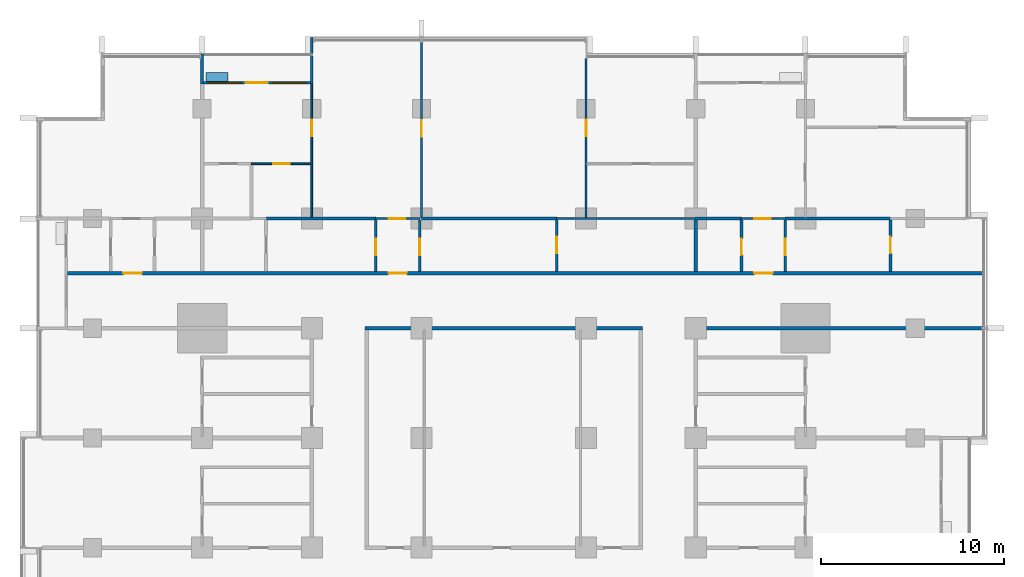
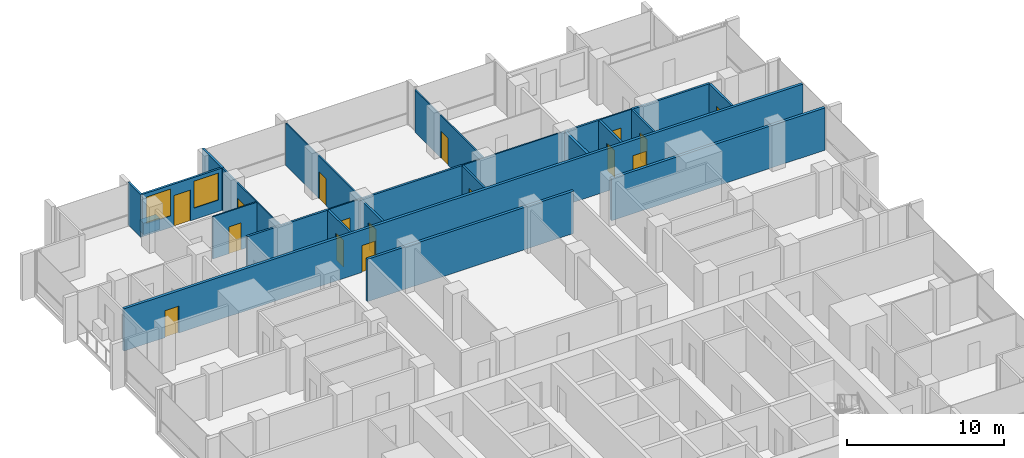
# One storey, part 11 of 17: 25 walls, 16 doors, 2 windows, 18 openings.
"""IFC4 building model written with IfcOpenShell, lengths in metres."""

import ifcopenshell
import ifcopenshell.guid

model = None  # the IFC model being written
_history = None  # IfcOwnerHistory: only IFC2X3 demands one
_inside = {}  # id of a spatial element -> (the spatial element, [elements in it])
_under = {}  # id of a project, library or spatial element -> (it, [spatial elements below it])
_declared = {}  # id of a project -> (the project, [libraries it declares])
_typed = {}  # id of a type object -> (the type object, [elements of that type])
_made_of = {}  # id of a material, layer set ... -> (it, [elements and type objects made of it])


def new_model(schema):
    """Start an empty IFC model of exactly this schema.

    Asked for "IFC4X3", IfcOpenShell would pick the latest addendum, in which some entities
    have other attributes; the version numbers below select the first issue.
    IFC2X3 requires an IfcOwnerHistory on every rooted entity: one is made here for all.
    """
    global model, _history
    if schema == "IFC4X3":
        model = ifcopenshell.file(schema_version=(4, 3, 0, 0))
    else:
        model = ifcopenshell.file(schema=schema)
    _inside.clear()
    _under.clear()
    _declared.clear()
    _typed.clear()
    _made_of.clear()
    _history = None
    if model.schema == "IFC2X3":
        org = make("IfcOrganization", Name="unknown")
        user = make(
            "IfcPersonAndOrganization",
            ThePerson=make("IfcPerson", FamilyName="unknown"),
            TheOrganization=org,
        )
        app = make(
            "IfcApplication",
            ApplicationDeveloper=org,
            Version="unknown",
            ApplicationFullName="unknown",
            ApplicationIdentifier="unknown",
        )
        _history = make(
            "IfcOwnerHistory",
            OwningUser=user,
            OwningApplication=app,
            ChangeAction="ADDED",
            CreationDate=0,
        )
    return model


def make(cls, **values):
    """One entity of the class cls with the attributes given. An attribute that is None is left unset."""
    return model.create_entity(
        cls, **{name: value for name, value in values.items() if value is not None}
    )


def rooted(cls, **values):
    """An entity with a GlobalId (a new one), such as an element, a storey or a relation."""
    return make(cls, GlobalId=ifcopenshell.guid.new(), OwnerHistory=_history, **values)


def si_unit(unit_type, name, prefix=None):
    """IfcSIUnit, for example si_unit("LENGTHUNIT", "METRE", prefix="MILLI")."""
    return make("IfcSIUnit", UnitType=unit_type, Prefix=prefix, Name=name)


def assignment(units):
    """IfcUnitAssignment: the units of a project."""
    return None if units is None else make("IfcUnitAssignment", Units=units)


def point(xyz):
    """IfcCartesianPoint."""
    return None if xyz is None else make("IfcCartesianPoint", Coordinates=xyz)


def direction(xyz):
    """IfcDirection."""
    return None if xyz is None else make("IfcDirection", DirectionRatios=xyz)


def frame(location, z_axis=None, x_axis=None):
    """IfcAxis2Placement3D, a coordinate frame: its origin and axes. An axis left out is left unset."""
    return make(
        "IfcAxis2Placement3D",
        Location=point(location),
        Axis=direction(z_axis),
        RefDirection=direction(x_axis),
    )


def frame_2d(location, x_axis=None):
    """IfcAxis2Placement2D, a coordinate frame in the plane: its origin and x axis."""
    return make(
        "IfcAxis2Placement2D", Location=point(location), RefDirection=direction(x_axis)
    )


def origin():
    """The frame at (0, 0, 0) with its axes left unset."""
    return frame((0.0, 0.0, 0.0))


def place(relative_to, where):
    """IfcLocalPlacement: puts the frame where relative to a parent placement (None: the world)."""
    return make(
        "IfcLocalPlacement", PlacementRelTo=relative_to, RelativePlacement=where
    )


def context(
    kind, dimensions, precision=None, world=None, true_north=None, identifier=None
):
    """IfcGeometricRepresentationContext, for example the 3D "Model" context."""
    return make(
        "IfcGeometricRepresentationContext",
        ContextIdentifier=identifier,
        ContextType=kind,
        CoordinateSpaceDimension=dimensions,
        Precision=precision,
        WorldCoordinateSystem=world,
        TrueNorth=true_north,
    )


def subcontext(parent, identifier, kind, view, scale=None):
    """IfcGeometricRepresentationSubContext, for example "Body" below "Model"."""
    return make(
        "IfcGeometricRepresentationSubContext",
        ContextIdentifier=identifier,
        ContextType=kind,
        ParentContext=parent,
        TargetScale=scale,
        TargetView=view,
    )


def project(units=None, contexts=None):
    """IfcProject with its units and contexts."""
    return rooted(
        "IfcProject",
        Name="project",
        RepresentationContexts=contexts,
        UnitsInContext=assignment(units),
    )


def spatial(cls, under=None, at=None, **own):
    """A site, building, storey or space (cls), placed at a placement, below another one or the project."""
    s = rooted(cls, ObjectPlacement=at, **own)
    if under is not None:
        _under.setdefault(under.id(), (under, []))[1].append(s)
    return s


def profile(cls, at=None, kind="AREA", **sizes):
    """A parametric profile (cls). Its sizes go by their IFC names, for example OverallWidth=200.0."""
    return make(cls, ProfileType=kind, Position=at, **sizes)


def rectangle(**sizes):
    """IfcRectangleProfileDef."""
    return profile("IfcRectangleProfileDef", **sizes)


def extrude(swept, where, along, depth):
    """IfcExtrudedAreaSolid: the profile swept, set in the frame where, extruded along a direction by depth."""
    return make(
        "IfcExtrudedAreaSolid",
        SweptArea=swept,
        Position=where,
        ExtrudedDirection=direction(along),
        Depth=depth,
    )


def shape(context_of_items, identifier, shape_type, items):
    """IfcShapeRepresentation: the items that make up one representation, for example the "Body"."""
    return make(
        "IfcShapeRepresentation",
        ContextOfItems=context_of_items,
        RepresentationIdentifier=identifier,
        RepresentationType=shape_type,
        Items=items,
    )


def material(Name=None, Category=None):
    """IfcMaterial."""
    return make("IfcMaterial", Name=Name, Category=Category)


def layer(
    of_material, thickness, ventilated=None, Name=None, Category=None, Priority=None
):
    """IfcMaterialLayer: one layer of a wall or slab, of a material (None: an air gap)."""
    return make(
        "IfcMaterialLayer",
        Material=of_material,
        LayerThickness=thickness,
        IsVentilated=ventilated,
        Name=Name,
        Category=Category,
        Priority=Priority,
    )


def layer_set(layers, Name=None):
    """IfcMaterialLayerSet."""
    return make("IfcMaterialLayerSet", MaterialLayers=layers, LayerSetName=Name)


def made_of(thing, what):
    """Note that an element or type object is made of a material, layer set ...; save() writes the relation."""
    if what is not None:
        _made_of.setdefault(what.id(), (what, []))[1].append(thing)
    return thing


def type_object(cls, material=None, **own):
    """A type object (cls), such as IfcWallType, which elements share."""
    return made_of(rooted(cls, **own), material)


def element(
    cls,
    number,
    at=None,
    inside=None,
    cuts=None,
    type_object=None,
    material=None,
    context=None,
    identifier="Body",
    shape_type=None,
    held_by="IfcProductDefinitionShape",
    body=None,
    shapes=None,
    **own,
):
    """One element of the class cls, such as IfcWall. Its Tag is "e" and its number.

    at: its placement. inside: the storey or other place that contains it. cuts: it is an
    opening in that element (IfcRelVoidsElement). A single representation is given by context,
    identifier, shape_type and body (its items); several are given by shapes. held_by: the class
    of the entity that holds the representations. save() writes the other relations.
    """
    e = rooted(cls, Tag="e%d" % number, ObjectPlacement=at, **own)
    if body is not None:
        shapes = [shape(context, identifier, shape_type, body)]
    if shapes is not None:
        e.Representation = make(held_by, Representations=shapes)
    if inside is not None:
        _inside.setdefault(inside.id(), (inside, []))[1].append(e)
    if cuts is not None:
        rooted(
            "IfcRelVoidsElement", RelatingBuildingElement=cuts, RelatedOpeningElement=e
        )
    if type_object is not None:
        _typed.setdefault(type_object.id(), (type_object, []))[1].append(e)
    return made_of(e, material)


def fill(opening, filler):
    """IfcRelFillsElement: the door or window that sits in an opening."""
    return rooted(
        "IfcRelFillsElement",
        RelatingOpeningElement=opening,
        RelatedBuildingElement=filler,
    )


def aggregate(whole, parts):
    """IfcRelAggregates: a whole, such as a stair, and the parts it consists of."""
    return rooted("IfcRelAggregates", RelatingObject=whole, RelatedObjects=parts)


def save(model, path):
    """Write the relations noted so far, then the file.

    IfcRelAggregates (storeys below a building ...), IfcRelContainedInSpatialStructure (elements
    in a storey), IfcRelDefinesByType, IfcRelAssociatesMaterial and IfcRelDeclares: one each for
    every whole, place, type object, material and project.
    """
    for whole, parts in _under.values():
        aggregate(whole, parts)
    for where, things in _inside.values():
        rooted(
            "IfcRelContainedInSpatialStructure",
            RelatedElements=things,
            RelatingStructure=where,
        )
    for kind, things in _typed.values():
        rooted("IfcRelDefinesByType", RelatedObjects=things, RelatingType=kind)
    for what, things in _made_of.values():
        rooted("IfcRelAssociatesMaterial", RelatedObjects=things, RelatingMaterial=what)
    for by, libraries in _declared.values():
        rooted("IfcRelDeclares", RelatingContext=by, RelatedDefinitions=libraries)
    model.write(path)


model = new_model("IFC4")

# Units and contexts
model_context = context("Model", 3, precision=1e-05, world=origin(), true_north=direction((0.0, 1.0)))
body_context = subcontext(model_context, "Body", "Model", "MODEL_VIEW")
ifc_project = project(units=[si_unit("LENGTHUNIT", "METRE"), si_unit("AREAUNIT", "SQUARE_METRE"), si_unit("VOLUMEUNIT", "CUBIC_METRE"), si_unit("PLANEANGLEUNIT", "RADIAN"), si_unit("MASSUNIT", "GRAM", prefix="KILO")], contexts=[model_context])

# Site, building, storey
site_placement = place(None, origin())
site = spatial("IfcSite", under=ifc_project, at=site_placement, CompositionType="ELEMENT")
building_placement = place(site_placement, origin())
building = spatial("IfcBuilding", under=site, at=building_placement, Name="Finial Court Residences", CompositionType="ELEMENT")
storey_placement = place(building_placement, frame((0.0, 0.0, 120.699951171875)))
storey = spatial("IfcBuildingStorey", under=building, at=storey_placement, Name="L30", CompositionType="ELEMENT", Elevation=120.699951171875)

# Walls
ifc_material_1 = material(Name="Gypsum board")
ifc_layer_1 = layer(ifc_material_1, 0.02490234375)
ifc_material_2 = material(Name="Acoustic mineral wool in double frame")
ifc_layer_2 = layer(ifc_material_2, 0.14990234375)
ifc_layer_3 = layer(ifc_material_1, 0.02490234375)
ifc_layer_set_1 = layer_set([ifc_layer_1, ifc_layer_2, ifc_layer_3], Name="Acoustic party wall 200, 1 hour")
wall_type_1 = type_object("IfcWallType", Name="Acoustic party wall 200, 1 hour", PredefinedType="PARTITIONING", material=ifc_layer_set_1)
wall_1_placement = place(storey_placement, frame((10.5, 10.60009765625, 0.0), z_axis=(0.0, 0.0, 1.0), x_axis=(0.0, 1.0, 0.0)))
element("IfcWall", 1, at=wall_1_placement, inside=storey, type_object=wall_type_1, Name="Partition L30-068", PredefinedType="PARTITIONING", context=body_context, shape_type="SweptSolid", body=[
    extrude(rectangle(XDim=2.824951171875, YDim=0.199951171875, at=frame_2d((1.41259765625, 0.0))), origin(), (0.0, 0.0, 1.0), 3.300048828125),
])
ifc_layer_4 = layer(ifc_material_1, 0.02490234375)
ifc_layer_5 = layer(ifc_material_2, 0.14990234375)
ifc_layer_6 = layer(ifc_material_1, 0.02490234375)
ifc_layer_set_2 = layer_set([ifc_layer_4, ifc_layer_5, ifc_layer_6], Name="Corridor wall 200, 1 hour")
wall_type_2 = type_object("IfcWallType", Name="Corridor wall 200, 1 hour", PredefinedType="PARTITIONING", material=ifc_layer_set_2)
wall_2_placement = place(storey_placement, frame((-7.60009765625, 7.5, 0.0), z_axis=(0.0, 0.0, 1.0), x_axis=(1.0, 0.0, 0.0)))
element("IfcWall", 2, at=wall_2_placement, inside=storey, type_object=wall_type_2, Name="Partition L30-024", PredefinedType="PARTITIONING", context=body_context, shape_type="SweptSolid", body=[
    extrude(rectangle(XDim=15.2001953125, YDim=0.199951171875, at=frame_2d((7.60009765625, 0.0))), origin(), (0.0, 0.0, 1.0), 3.300048828125),
])
wall_3_placement = place(storey_placement, frame((10.39990234375, 7.5, 0.0), z_axis=(0.0, 0.0, 1.0), x_axis=(1.0, 0.0, 0.0)))
element("IfcWall", 3, at=wall_3_placement, inside=storey, type_object=wall_type_2, Name="Partition L30-025", PredefinedType="PARTITIONING", context=body_context, shape_type="SweptSolid", body=[
    extrude(rectangle(XDim=15.75, YDim=0.199951171875, at=frame_2d((7.875, 0.0))), origin(), (0.0, 0.0, 1.0), 3.300048828125),
])

# Wall, openings, doors
wall_4_placement = place(storey_placement, frame((-23.85009765625, 10.5, 0.0), z_axis=(0.0, 0.0, 1.0), x_axis=(1.0, 0.0, 0.0)))
wall_4 = element("IfcWall", 4, at=wall_4_placement, inside=storey, type_object=wall_type_2, Name="Partition L30-026", PredefinedType="PARTITIONING", context=body_context, shape_type="SweptSolid", body=[
    extrude(rectangle(XDim=50.10009765625, YDim=0.199951171875, at=frame_2d((25.050048828125, 0.0))), origin(), (0.0, 0.0, 1.0), 3.300048828125),
])
opening_1_placement = place(wall_4_placement, frame((3.050048828125, 0.0, 0.0)))
opening_1 = element("IfcOpeningElement", 5, at=opening_1_placement, cuts=wall_4, Name="Opening L30-D012", PredefinedType="OPENING", context=body_context, shape_type="SweptSolid", body=[
    extrude(rectangle(XDim=1.0, YDim=2.10009765625, at=frame_2d((0.5, 1.050048828125))), frame((0.0, 0.10986328125, 0.0), z_axis=(0.0, -1.0, 0.0), x_axis=(1.0, 0.0, 0.0)), (0.0, 0.0, 1.0), 0.219970703125),
])
opening_2_placement = place(wall_4_placement, frame((17.550048828125, 0.0, 0.0)))
opening_2 = element("IfcOpeningElement", 6, at=opening_2_placement, cuts=wall_4, Name="Opening L30-D013", PredefinedType="OPENING", context=body_context, shape_type="SweptSolid", body=[
    extrude(rectangle(XDim=1.0, YDim=2.10009765625, at=frame_2d((0.5, 1.050048828125))), frame((0.0, 0.10986328125, 0.0), z_axis=(0.0, -1.0, 0.0), x_axis=(1.0, 0.0, 0.0)), (0.0, 0.0, 1.0), 0.219970703125),
])
opening_3_placement = place(wall_4_placement, frame((37.550048828125, 0.0, 0.0)))
opening_3 = element("IfcOpeningElement", 7, at=opening_3_placement, cuts=wall_4, Name="Opening L30-D014", PredefinedType="OPENING", context=body_context, shape_type="SweptSolid", body=[
    extrude(rectangle(XDim=1.0, YDim=2.10009765625, at=frame_2d((0.5, 1.050048828125))), frame((0.0, 0.10986328125, 0.0), z_axis=(0.0, -1.0, 0.0), x_axis=(1.0, 0.0, 0.0)), (0.0, 0.0, 1.0), 0.219970703125),
])
ifc_material_3 = material(Name="Timber door leaf in hollow metal frame", Category="wood")
door_type_1 = type_object("IfcDoorType", Name="Fire door set 1000 x 2100, 30 minutes", OperationType="SINGLE_SWING_LEFT", PredefinedType="DOOR", material=ifc_material_3)
door_1_placement = place(opening_1_placement, origin())
door_1 = element("IfcDoor", 8, at=door_1_placement, inside=storey, type_object=door_type_1, Name="Door L30-D012", OperationType="SINGLE_SWING_RIGHT", OverallHeight=2.10009765625, OverallWidth=1.0, PredefinedType="DOOR", context=body_context, shape_type="SweptSolid", body=[
    extrude(rectangle(XDim=1.0, YDim=2.10009765625, at=frame_2d((0.5, 1.050048828125))), frame((0.0, 0.02490234375, 0.0), z_axis=(0.0, -1.0, 0.0), x_axis=(1.0, 0.0, 0.0)), (0.0, 0.0, 1.0), 0.050048828125),
])
fill(opening_1, door_1)
door_2_placement = place(opening_2_placement, origin())
door_2 = element("IfcDoor", 9, at=door_2_placement, inside=storey, type_object=door_type_1, Name="Door L30-D013", OperationType="SINGLE_SWING_RIGHT", OverallHeight=2.10009765625, OverallWidth=1.0, PredefinedType="DOOR", context=body_context, shape_type="SweptSolid", body=[
    extrude(rectangle(XDim=1.0, YDim=2.10009765625, at=frame_2d((0.5, 1.050048828125))), frame((0.0, 0.02490234375, 0.0), z_axis=(0.0, -1.0, 0.0), x_axis=(1.0, 0.0, 0.0)), (0.0, 0.0, 1.0), 0.050048828125),
])
fill(opening_2, door_2)
door_3_placement = place(opening_3_placement, origin())
door_3 = element("IfcDoor", 10, at=door_3_placement, inside=storey, type_object=door_type_1, Name="Door L30-D014", OperationType="SINGLE_SWING_LEFT", OverallHeight=2.10009765625, OverallWidth=1.0, PredefinedType="DOOR", context=body_context, shape_type="SweptSolid", body=[
    extrude(rectangle(XDim=1.0, YDim=2.10009765625, at=frame_2d((0.5, 1.050048828125))), frame((0.0, 0.02490234375, 0.0), z_axis=(0.0, -1.0, 0.0), x_axis=(1.0, 0.0, 0.0)), (0.0, 0.0, 1.0), 0.050048828125),
])
fill(opening_3, door_3)

# Wall, opening, door
ifc_layer_7 = layer(ifc_material_1, 0.012451171875)
ifc_material_4 = material(Name="Mineral wool in light-gauge frame")
ifc_layer_8 = layer(ifc_material_4, 0.074951171875)
ifc_layer_9 = layer(ifc_material_1, 0.012451171875)
ifc_layer_set_3 = layer_set([ifc_layer_7, ifc_layer_8, ifc_layer_9], Name="Gypsum board partition 100")
wall_type_3 = type_object("IfcWallType", Name="Gypsum board partition 100", PredefinedType="PARTITIONING", material=ifc_layer_set_3)
wall_5_placement = place(storey_placement, frame((-7.0, 13.5, 0.0), z_axis=(0.0, 0.0, 1.0), x_axis=(1.0, 0.0, 0.0)))
wall_5 = element("IfcWall", 11, at=wall_5_placement, inside=storey, type_object=wall_type_3, Name="Partition L30-029", PredefinedType="PARTITIONING", context=body_context, shape_type="SweptSolid", body=[
    extrude(rectangle(XDim=2.39990234375, YDim=0.10009765625, at=frame_2d((1.199951171875, 0.0))), origin(), (0.0, 0.0, 1.0), 3.300048828125),
])
opening_4_placement = place(wall_5_placement, frame((0.699951171875, 0.0, 0.0)))
opening_4 = element("IfcOpeningElement", 12, at=opening_4_placement, cuts=wall_5, Name="Opening L30-D016", PredefinedType="OPENING", context=body_context, shape_type="SweptSolid", body=[
    extrude(rectangle(XDim=0.89990234375, YDim=2.10009765625, at=frame_2d((0.449951171875, 1.050048828125))), frame((0.0, 0.06005859375, 0.0), z_axis=(0.0, -1.0, 0.0), x_axis=(1.0, 0.0, 0.0)), (0.0, 0.0, 1.0), 0.1201171875),
])
ifc_material_5 = material(Name="Timber door leaf in timber frame", Category="wood")
door_type_2 = type_object("IfcDoorType", Name="Door set 900 x 2100", OperationType="SINGLE_SWING_LEFT", PredefinedType="DOOR", material=ifc_material_5)
door_4_placement = place(opening_4_placement, origin())
door_4 = element("IfcDoor", 13, at=door_4_placement, inside=storey, type_object=door_type_2, Name="Door L30-D016", OperationType="SINGLE_SWING_RIGHT", OverallHeight=2.10009765625, OverallWidth=0.89990234375, PredefinedType="DOOR", context=body_context, shape_type="SweptSolid", body=[
    extrude(rectangle(XDim=0.89990234375, YDim=2.10009765625, at=frame_2d((0.449951171875, 1.050048828125))), frame((0.0, 0.02490234375, 0.0), z_axis=(0.0, -1.0, 0.0), x_axis=(1.0, 0.0, 0.0)), (0.0, 0.0, 1.0), 0.050048828125),
])
fill(opening_4, door_4)

# Wall
wall_6_placement = place(storey_placement, frame((2.89990234375, 13.5, 0.0), z_axis=(0.0, 0.0, 1.0), x_axis=(1.0, 0.0, 0.0)))
element("IfcWall", 14, at=wall_6_placement, inside=storey, type_object=wall_type_3, Name="Partition L30-030", PredefinedType="PARTITIONING", context=body_context, shape_type="SweptSolid", body=[
    extrude(rectangle(XDim=7.60009765625, YDim=0.10009765625, at=frame_2d((3.800048828125, 0.0))), origin(), (0.0, 0.0, 1.0), 3.300048828125),
])

# Wall, opening, door
wall_7_placement = place(storey_placement, frame((13.0, 13.5, 0.0), z_axis=(0.0, 0.0, 1.0), x_axis=(1.0, 0.0, 0.0)))
wall_7 = element("IfcWall", 15, at=wall_7_placement, inside=storey, type_object=wall_type_3, Name="Partition L30-031", PredefinedType="PARTITIONING", context=body_context, shape_type="SweptSolid", body=[
    extrude(rectangle(XDim=2.39990234375, YDim=0.10009765625, at=frame_2d((1.199951171875, 0.0))), origin(), (0.0, 0.0, 1.0), 3.300048828125),
])
opening_5_placement = place(wall_7_placement, frame((0.699951171875, 0.0, 0.0)))
opening_5 = element("IfcOpeningElement", 16, at=opening_5_placement, cuts=wall_7, Name="Opening L30-D017", PredefinedType="OPENING", context=body_context, shape_type="SweptSolid", body=[
    extrude(rectangle(XDim=0.89990234375, YDim=2.10009765625, at=frame_2d((0.449951171875, 1.050048828125))), frame((0.0, 0.06005859375, 0.0), z_axis=(0.0, -1.0, 0.0), x_axis=(1.0, 0.0, 0.0)), (0.0, 0.0, 1.0), 0.1201171875),
])
door_5_placement = place(opening_5_placement, origin())
door_5 = element("IfcDoor", 17, at=door_5_placement, inside=storey, type_object=door_type_2, Name="Door L30-D017", OperationType="SINGLE_SWING_LEFT", OverallHeight=2.10009765625, OverallWidth=0.89990234375, PredefinedType="DOOR", context=body_context, shape_type="SweptSolid", body=[
    extrude(rectangle(XDim=0.89990234375, YDim=2.10009765625, at=frame_2d((0.449951171875, 1.050048828125))), frame((0.0, 0.02490234375, 0.0), z_axis=(0.0, -1.0, 0.0), x_axis=(1.0, 0.0, 0.0)), (0.0, 0.0, 1.0), 0.050048828125),
])
fill(opening_5, door_5)

wall_8_placement = place(storey_placement, frame((-13.800048828125, 16.5, 0.0), z_axis=(0.0, 0.0, 1.0), x_axis=(1.0, 0.0, 0.0)))
wall_8 = element("IfcWall", 18, at=wall_8_placement, inside=storey, type_object=wall_type_3, Name="Partition L30-039", PredefinedType="PARTITIONING", context=body_context, shape_type="SweptSolid", body=[
    extrude(rectangle(XDim=3.25, YDim=0.10009765625, at=frame_2d((1.625, 0.0))), origin(), (0.0, 0.0, 1.0), 3.300048828125),
])
opening_6_placement = place(wall_8_placement, frame((1.199951171875, 0.0, 0.0)))
opening_6 = element("IfcOpeningElement", 19, at=opening_6_placement, cuts=wall_8, Name="Opening L30-D018", PredefinedType="OPENING", context=body_context, shape_type="SweptSolid", body=[
    extrude(rectangle(XDim=0.89990234375, YDim=2.10009765625, at=frame_2d((0.449951171875, 1.050048828125))), frame((0.0, 0.06005859375, 0.0), z_axis=(0.0, -1.0, 0.0), x_axis=(1.0, 0.0, 0.0)), (0.0, 0.0, 1.0), 0.1201171875),
])
door_6_placement = place(opening_6_placement, origin())
door_6 = element("IfcDoor", 20, at=door_6_placement, inside=storey, type_object=door_type_2, Name="Door L30-D018", OperationType="SINGLE_SWING_RIGHT", OverallHeight=2.10009765625, OverallWidth=0.89990234375, PredefinedType="DOOR", context=body_context, shape_type="SweptSolid", body=[
    extrude(rectangle(XDim=0.89990234375, YDim=2.10009765625, at=frame_2d((0.449951171875, 1.050048828125))), frame((0.0, 0.02490234375, 0.0), z_axis=(0.0, -1.0, 0.0), x_axis=(1.0, 0.0, 0.0)), (0.0, 0.0, 1.0), 0.050048828125),
])
fill(opening_6, door_6)

wall_9_placement = place(storey_placement, frame((-10.5, 13.574951171875, 0.0), z_axis=(0.0, 0.0, 1.0), x_axis=(0.0, 1.0, 0.0)))
wall_9 = element("IfcWall", 21, at=wall_9_placement, inside=storey, type_object=wall_type_3, Name="Partition L30-057", PredefinedType="PARTITIONING", context=body_context, shape_type="SweptSolid", body=[
    extrude(rectangle(XDim=7.275146484375, YDim=0.10009765625, at=frame_2d((3.6376953125, 0.0))), origin(), (0.0, 0.0, 1.0), 3.300048828125),
])
opening_7_placement = place(wall_9_placement, frame((4.425048828125, 0.0, 0.0)))
opening_7 = element("IfcOpeningElement", 22, at=opening_7_placement, cuts=wall_9, Name="Opening L30-D032", PredefinedType="OPENING", context=body_context, shape_type="SweptSolid", body=[
    extrude(rectangle(XDim=0.89990234375, YDim=2.10009765625, at=frame_2d((0.449951171875, 1.050048828125))), frame((0.0, 0.06005859375, 0.0), z_axis=(0.0, -1.0, 0.0), x_axis=(1.0, 0.0, 0.0)), (0.0, 0.0, 1.0), 0.1201171875),
])
door_7_placement = place(opening_7_placement, origin())
door_7 = element("IfcDoor", 23, at=door_7_placement, inside=storey, type_object=door_type_2, Name="Door L30-D032", OperationType="SINGLE_SWING_LEFT", OverallHeight=2.10009765625, OverallWidth=0.89990234375, PredefinedType="DOOR", context=body_context, shape_type="SweptSolid", body=[
    extrude(rectangle(XDim=0.89990234375, YDim=2.10009765625, at=frame_2d((0.449951171875, 1.050048828125))), frame((0.0, 0.02490234375, 0.0), z_axis=(0.0, -1.0, 0.0), x_axis=(1.0, 0.0, 0.0)), (0.0, 0.0, 1.0), 0.050048828125),
])
fill(opening_7, door_7)

wall_10_placement = place(storey_placement, frame((-4.5, 13.574951171875, 0.0), z_axis=(0.0, 0.0, 1.0), x_axis=(0.0, 1.0, 0.0)))
wall_10 = element("IfcWall", 24, at=wall_10_placement, inside=storey, type_object=wall_type_3, Name="Partition L30-061", PredefinedType="PARTITIONING", context=body_context, shape_type="SweptSolid", body=[
    extrude(rectangle(XDim=9.574951171875, YDim=0.10009765625, at=frame_2d((4.78759765625, 0.0))), origin(), (0.0, 0.0, 1.0), 3.300048828125),
])
opening_8_placement = place(wall_10_placement, frame((4.39990234375, 0.0, 0.0)))
opening_8 = element("IfcOpeningElement", 25, at=opening_8_placement, cuts=wall_10, Name="Opening L30-D035", PredefinedType="OPENING", context=body_context, shape_type="SweptSolid", body=[
    extrude(rectangle(XDim=0.89990234375, YDim=2.10009765625, at=frame_2d((0.449951171875, 1.050048828125))), frame((0.0, 0.06005859375, 0.0), z_axis=(0.0, -1.0, 0.0), x_axis=(1.0, 0.0, 0.0)), (0.0, 0.0, 1.0), 0.1201171875),
])
door_8_placement = place(opening_8_placement, origin())
door_8 = element("IfcDoor", 26, at=door_8_placement, inside=storey, type_object=door_type_2, Name="Door L30-D035", OperationType="SINGLE_SWING_LEFT", OverallHeight=2.10009765625, OverallWidth=0.89990234375, PredefinedType="DOOR", context=body_context, shape_type="SweptSolid", body=[
    extrude(rectangle(XDim=0.89990234375, YDim=2.10009765625, at=frame_2d((0.449951171875, 1.050048828125))), frame((0.0, 0.02490234375, 0.0), z_axis=(0.0, -1.0, 0.0), x_axis=(1.0, 0.0, 0.0)), (0.0, 0.0, 1.0), 0.050048828125),
])
fill(opening_8, door_8)

wall_11_placement = place(storey_placement, frame((4.5, 13.550048828125, 0.0), z_axis=(0.0, 0.0, 1.0), x_axis=(0.0, 1.0, 0.0)))
wall_11 = element("IfcWall", 27, at=wall_11_placement, inside=storey, type_object=wall_type_3, Name="Partition L30-065", PredefinedType="PARTITIONING", context=body_context, shape_type="SweptSolid", body=[
    extrude(rectangle(XDim=8.699951171875, YDim=0.10009765625, at=frame_2d((4.35009765625, 0.0))), origin(), (0.0, 0.0, 1.0), 3.300048828125),
])
opening_9_placement = place(wall_11_placement, frame((4.449951171875, 0.0, 0.0)))
opening_9 = element("IfcOpeningElement", 28, at=opening_9_placement, cuts=wall_11, Name="Opening L30-D037", PredefinedType="OPENING", context=body_context, shape_type="SweptSolid", body=[
    extrude(rectangle(XDim=0.89990234375, YDim=2.10009765625, at=frame_2d((0.449951171875, 1.050048828125))), frame((0.0, 0.06005859375, 0.0), z_axis=(0.0, -1.0, 0.0), x_axis=(1.0, 0.0, 0.0)), (0.0, 0.0, 1.0), 0.1201171875),
])
door_9_placement = place(opening_9_placement, origin())
door_9 = element("IfcDoor", 29, at=door_9_placement, inside=storey, type_object=door_type_2, Name="Door L30-D037", OperationType="SINGLE_SWING_RIGHT", OverallHeight=2.10009765625, OverallWidth=0.89990234375, PredefinedType="DOOR", context=body_context, shape_type="SweptSolid", body=[
    extrude(rectangle(XDim=0.89990234375, YDim=2.10009765625, at=frame_2d((0.449951171875, 1.050048828125))), frame((0.0, 0.02490234375, 0.0), z_axis=(0.0, -1.0, 0.0), x_axis=(1.0, 0.0, 0.0)), (0.0, 0.0, 1.0), 0.050048828125),
])
fill(opening_9, door_9)

# Walls
ifc_material_6 = material(Name="Moisture-resistant gypsum board")
ifc_layer_10 = layer(ifc_material_6, 0.012451171875)
ifc_layer_11 = layer(ifc_material_4, 0.125)
ifc_layer_12 = layer(ifc_material_6, 0.012451171875)
ifc_layer_set_4 = layer_set([ifc_layer_10, ifc_layer_11, ifc_layer_12], Name="Gypsum board wet-area partition 150")
wall_type_4 = type_object("IfcWallType", Name="Gypsum board wet-area partition 150", PredefinedType="PARTITIONING", material=ifc_layer_set_4)
wall_12_placement = place(storey_placement, frame((-13.0, 13.5, 0.0), z_axis=(0.0, 0.0, 1.0), x_axis=(1.0, 0.0, 0.0)))
element("IfcWall", 30, at=wall_12_placement, inside=storey, type_object=wall_type_4, Name="Partition L30-035", PredefinedType="PARTITIONING", context=body_context, shape_type="SweptSolid", body=[
    extrude(rectangle(XDim=6.0, YDim=0.14990234375, at=frame_2d((3.0, 0.0))), origin(), (0.0, 0.0, 1.0), 3.300048828125),
])
wall_13_placement = place(storey_placement, frame((-4.5, 13.5, 0.0), z_axis=(0.0, 0.0, 1.0), x_axis=(1.0, 0.0, 0.0)))
element("IfcWall", 31, at=wall_13_placement, inside=storey, type_object=wall_type_4, Name="Partition L30-036", PredefinedType="PARTITIONING", context=body_context, shape_type="SweptSolid", body=[
    extrude(rectangle(XDim=7.39990234375, YDim=0.14990234375, at=frame_2d((3.699951171875, 0.0))), origin(), (0.0, 0.0, 1.0), 3.300048828125),
])
wall_14_placement = place(storey_placement, frame((10.5, 13.5, 0.0), z_axis=(0.0, 0.0, 1.0), x_axis=(1.0, 0.0, 0.0)))
element("IfcWall", 32, at=wall_14_placement, inside=storey, type_object=wall_type_4, Name="Partition L30-037", PredefinedType="PARTITIONING", context=body_context, shape_type="SweptSolid", body=[
    extrude(rectangle(XDim=2.5, YDim=0.14990234375, at=frame_2d((1.25, 0.0))), origin(), (0.0, 0.0, 1.0), 3.300048828125),
])
wall_15_placement = place(storey_placement, frame((15.39990234375, 13.5, 0.0), z_axis=(0.0, 0.0, 1.0), x_axis=(1.0, 0.0, 0.0)))
element("IfcWall", 33, at=wall_15_placement, inside=storey, type_object=wall_type_4, Name="Partition L30-038", PredefinedType="PARTITIONING", context=body_context, shape_type="SweptSolid", body=[
    extrude(rectangle(XDim=5.75, YDim=0.14990234375, at=frame_2d((2.875, 0.0))), origin(), (0.0, 0.0, 1.0), 3.300048828125),
])

# Wall, opening, door
wall_16_placement = place(storey_placement, frame((-7.0, 10.60009765625, 0.0), z_axis=(0.0, 0.0, 1.0), x_axis=(0.0, 1.0, 0.0)))
wall_16 = element("IfcWall", 34, at=wall_16_placement, inside=storey, type_object=wall_type_4, Name="Partition L30-059", PredefinedType="PARTITIONING", context=body_context, shape_type="SweptSolid", body=[
    extrude(rectangle(XDim=2.824951171875, YDim=0.14990234375, at=frame_2d((1.41259765625, 0.0))), origin(), (0.0, 0.0, 1.0), 3.300048828125),
])
opening_10_placement = place(wall_16_placement, frame((0.89990234375, 0.0, 0.0)))
opening_10 = element("IfcOpeningElement", 35, at=opening_10_placement, cuts=wall_16, Name="Opening L30-D033", PredefinedType="OPENING", context=body_context, shape_type="SweptSolid", body=[
    extrude(rectangle(XDim=0.89990234375, YDim=2.10009765625, at=frame_2d((0.449951171875, 1.050048828125))), frame((0.0, 0.0849609375, 0.0), z_axis=(0.0, -1.0, 0.0), x_axis=(1.0, 0.0, 0.0)), (0.0, 0.0, 1.0), 0.169921875),
])
door_10_placement = place(opening_10_placement, origin())
door_10 = element("IfcDoor", 36, at=door_10_placement, inside=storey, type_object=door_type_2, Name="Door L30-D033", OperationType="SINGLE_SWING_RIGHT", OverallHeight=2.10009765625, OverallWidth=0.89990234375, PredefinedType="DOOR", context=body_context, shape_type="SweptSolid", body=[
    extrude(rectangle(XDim=0.89990234375, YDim=2.10009765625, at=frame_2d((0.449951171875, 1.050048828125))), frame((0.0, 0.02490234375, 0.0), z_axis=(0.0, -1.0, 0.0), x_axis=(1.0, 0.0, 0.0)), (0.0, 0.0, 1.0), 0.050048828125),
])
fill(opening_10, door_10)

wall_17_placement = place(storey_placement, frame((-4.60009765625, 10.60009765625, 0.0), z_axis=(0.0, 0.0, 1.0), x_axis=(0.0, 1.0, 0.0)))
wall_17 = element("IfcWall", 37, at=wall_17_placement, inside=storey, type_object=wall_type_4, Name="Partition L30-060", PredefinedType="PARTITIONING", context=body_context, shape_type="SweptSolid", body=[
    extrude(rectangle(XDim=2.824951171875, YDim=0.14990234375, at=frame_2d((1.41259765625, 0.0))), origin(), (0.0, 0.0, 1.0), 3.300048828125),
])
opening_11_placement = place(wall_17_placement, frame((0.89990234375, 0.0, 0.0)))
opening_11 = element("IfcOpeningElement", 38, at=opening_11_placement, cuts=wall_17, Name="Opening L30-D034", PredefinedType="OPENING", context=body_context, shape_type="SweptSolid", body=[
    extrude(rectangle(XDim=0.89990234375, YDim=2.10009765625, at=frame_2d((0.449951171875, 1.050048828125))), frame((0.0, 0.0849609375, 0.0), z_axis=(0.0, -1.0, 0.0), x_axis=(1.0, 0.0, 0.0)), (0.0, 0.0, 1.0), 0.169921875),
])
door_11_placement = place(opening_11_placement, origin())
door_11 = element("IfcDoor", 39, at=door_11_placement, inside=storey, type_object=door_type_2, Name="Door L30-D034", OperationType="SINGLE_SWING_LEFT", OverallHeight=2.10009765625, OverallWidth=0.89990234375, PredefinedType="DOOR", context=body_context, shape_type="SweptSolid", body=[
    extrude(rectangle(XDim=0.89990234375, YDim=2.10009765625, at=frame_2d((0.449951171875, 1.050048828125))), frame((0.0, 0.02490234375, 0.0), z_axis=(0.0, -1.0, 0.0), x_axis=(1.0, 0.0, 0.0)), (0.0, 0.0, 1.0), 0.050048828125),
])
fill(opening_11, door_11)

wall_18_placement = place(storey_placement, frame((2.89990234375, 10.60009765625, 0.0), z_axis=(0.0, 0.0, 1.0), x_axis=(0.0, 1.0, 0.0)))
wall_18 = element("IfcWall", 40, at=wall_18_placement, inside=storey, type_object=wall_type_4, Name="Partition L30-063", PredefinedType="PARTITIONING", context=body_context, shape_type="SweptSolid", body=[
    extrude(rectangle(XDim=2.824951171875, YDim=0.14990234375, at=frame_2d((1.41259765625, 0.0))), origin(), (0.0, 0.0, 1.0), 3.300048828125),
])
opening_12_placement = place(wall_18_placement, frame((1.0, 0.0, 0.0)))
opening_12 = element("IfcOpeningElement", 41, at=opening_12_placement, cuts=wall_18, Name="Opening L30-D036", PredefinedType="OPENING", context=body_context, shape_type="SweptSolid", body=[
    extrude(rectangle(XDim=0.89990234375, YDim=2.10009765625, at=frame_2d((0.449951171875, 1.050048828125))), frame((0.0, 0.0849609375, 0.0), z_axis=(0.0, -1.0, 0.0), x_axis=(1.0, 0.0, 0.0)), (0.0, 0.0, 1.0), 0.169921875),
])
door_12_placement = place(opening_12_placement, origin())
door_12 = element("IfcDoor", 42, at=door_12_placement, inside=storey, type_object=door_type_2, Name="Door L30-D036", OperationType="SINGLE_SWING_RIGHT", OverallHeight=2.10009765625, OverallWidth=0.89990234375, PredefinedType="DOOR", context=body_context, shape_type="SweptSolid", body=[
    extrude(rectangle(XDim=0.89990234375, YDim=2.10009765625, at=frame_2d((0.449951171875, 1.050048828125))), frame((0.0, 0.02490234375, 0.0), z_axis=(0.0, -1.0, 0.0), x_axis=(1.0, 0.0, 0.0)), (0.0, 0.0, 1.0), 0.050048828125),
])
fill(opening_12, door_12)

wall_19_placement = place(storey_placement, frame((13.0, 10.60009765625, 0.0), z_axis=(0.0, 0.0, 1.0), x_axis=(0.0, 1.0, 0.0)))
wall_19 = element("IfcWall", 43, at=wall_19_placement, inside=storey, type_object=wall_type_4, Name="Partition L30-070", PredefinedType="PARTITIONING", context=body_context, shape_type="SweptSolid", body=[
    extrude(rectangle(XDim=2.824951171875, YDim=0.14990234375, at=frame_2d((1.41259765625, 0.0))), origin(), (0.0, 0.0, 1.0), 3.300048828125),
])
opening_13_placement = place(wall_19_placement, frame((0.89990234375, 0.0, 0.0)))
opening_13 = element("IfcOpeningElement", 44, at=opening_13_placement, cuts=wall_19, Name="Opening L30-D039", PredefinedType="OPENING", context=body_context, shape_type="SweptSolid", body=[
    extrude(rectangle(XDim=0.89990234375, YDim=2.10009765625, at=frame_2d((0.449951171875, 1.050048828125))), frame((0.0, 0.0849609375, 0.0), z_axis=(0.0, -1.0, 0.0), x_axis=(1.0, 0.0, 0.0)), (0.0, 0.0, 1.0), 0.169921875),
])
door_13_placement = place(opening_13_placement, origin())
door_13 = element("IfcDoor", 45, at=door_13_placement, inside=storey, type_object=door_type_2, Name="Door L30-D039", OperationType="SINGLE_SWING_RIGHT", OverallHeight=2.10009765625, OverallWidth=0.89990234375, PredefinedType="DOOR", context=body_context, shape_type="SweptSolid", body=[
    extrude(rectangle(XDim=0.89990234375, YDim=2.10009765625, at=frame_2d((0.449951171875, 1.050048828125))), frame((0.0, 0.02490234375, 0.0), z_axis=(0.0, -1.0, 0.0), x_axis=(1.0, 0.0, 0.0)), (0.0, 0.0, 1.0), 0.050048828125),
])
fill(opening_13, door_13)

wall_20_placement = place(storey_placement, frame((15.39990234375, 10.60009765625, 0.0), z_axis=(0.0, 0.0, 1.0), x_axis=(0.0, 1.0, 0.0)))
wall_20 = element("IfcWall", 46, at=wall_20_placement, inside=storey, type_object=wall_type_4, Name="Partition L30-071", PredefinedType="PARTITIONING", context=body_context, shape_type="SweptSolid", body=[
    extrude(rectangle(XDim=2.824951171875, YDim=0.14990234375, at=frame_2d((1.41259765625, 0.0))), origin(), (0.0, 0.0, 1.0), 3.300048828125),
])
opening_14_placement = place(wall_20_placement, frame((0.89990234375, 0.0, 0.0)))
opening_14 = element("IfcOpeningElement", 47, at=opening_14_placement, cuts=wall_20, Name="Opening L30-D040", PredefinedType="OPENING", context=body_context, shape_type="SweptSolid", body=[
    extrude(rectangle(XDim=0.89990234375, YDim=2.10009765625, at=frame_2d((0.449951171875, 1.050048828125))), frame((0.0, 0.0849609375, 0.0), z_axis=(0.0, -1.0, 0.0), x_axis=(1.0, 0.0, 0.0)), (0.0, 0.0, 1.0), 0.169921875),
])
door_14_placement = place(opening_14_placement, origin())
door_14 = element("IfcDoor", 48, at=door_14_placement, inside=storey, type_object=door_type_2, Name="Door L30-D040", OperationType="SINGLE_SWING_LEFT", OverallHeight=2.10009765625, OverallWidth=0.89990234375, PredefinedType="DOOR", context=body_context, shape_type="SweptSolid", body=[
    extrude(rectangle(XDim=0.89990234375, YDim=2.10009765625, at=frame_2d((0.449951171875, 1.050048828125))), frame((0.0, 0.02490234375, 0.0), z_axis=(0.0, -1.0, 0.0), x_axis=(1.0, 0.0, 0.0)), (0.0, 0.0, 1.0), 0.050048828125),
])
fill(opening_14, door_14)

wall_21_placement = place(storey_placement, frame((21.14990234375, 10.60009765625, 0.0), z_axis=(0.0, 0.0, 1.0), x_axis=(0.0, 1.0, 0.0)))
wall_21 = element("IfcWall", 49, at=wall_21_placement, inside=storey, type_object=wall_type_4, Name="Partition L30-082", PredefinedType="PARTITIONING", context=body_context, shape_type="SweptSolid", body=[
    extrude(rectangle(XDim=2.824951171875, YDim=0.14990234375, at=frame_2d((1.41259765625, 0.0))), origin(), (0.0, 0.0, 1.0), 3.300048828125),
])
opening_15_placement = place(wall_21_placement, frame((1.0, 0.0, 0.0)))
opening_15 = element("IfcOpeningElement", 50, at=opening_15_placement, cuts=wall_21, Name="Opening L30-D049", PredefinedType="OPENING", context=body_context, shape_type="SweptSolid", body=[
    extrude(rectangle(XDim=0.89990234375, YDim=2.10009765625, at=frame_2d((0.449951171875, 1.050048828125))), frame((0.0, 0.0849609375, 0.0), z_axis=(0.0, -1.0, 0.0), x_axis=(1.0, 0.0, 0.0)), (0.0, 0.0, 1.0), 0.169921875),
])
door_15_placement = place(opening_15_placement, origin())
door_15 = element("IfcDoor", 51, at=door_15_placement, inside=storey, type_object=door_type_2, Name="Door L30-D049", OperationType="SINGLE_SWING_LEFT", OverallHeight=2.10009765625, OverallWidth=0.89990234375, PredefinedType="DOOR", context=body_context, shape_type="SweptSolid", body=[
    extrude(rectangle(XDim=0.89990234375, YDim=2.10009765625, at=frame_2d((0.449951171875, 1.050048828125))), frame((0.0, 0.02490234375, 0.0), z_axis=(0.0, -1.0, 0.0), x_axis=(1.0, 0.0, 0.0)), (0.0, 0.0, 1.0), 0.050048828125),
])
fill(opening_15, door_15)

# Walls
ifc_material_7 = material(Name="Natural limestone", Category="masonry")
ifc_layer_13 = layer(ifc_material_7, 0.14990234375)
ifc_layer_set_5 = layer_set([ifc_layer_13], Name="Limestone clad wall 150")
wall_type_5 = type_object("IfcWallType", Name="Limestone clad wall 150", PredefinedType="SOLIDWALL", material=ifc_layer_set_5)
wall_22_placement = place(storey_placement, frame((-16.5, 20.85009765625, 0.0), z_axis=(0.0, 0.0, 1.0), x_axis=(0.0, 1.0, 0.0)))
element("IfcWall", 52, at=wall_22_placement, inside=storey, type_object=wall_type_5, Name="E-L30-BALN2-P1", PredefinedType="SOLIDWALL", context=body_context, shape_type="SweptSolid", body=[
    extrude(rectangle(XDim=1.64990234375, YDim=0.14990234375, at=frame_2d((0.824951171875, 0.0))), origin(), (0.0, 0.0, 1.0), 3.300048828125),
])
wall_23_placement = place(storey_placement, frame((-10.5, 20.85009765625, 0.0), z_axis=(0.0, 0.0, 1.0), x_axis=(0.0, 1.0, 0.0)))
element("IfcWall", 53, at=wall_23_placement, inside=storey, type_object=wall_type_5, Name="E-L30-BALN2-P2", PredefinedType="SOLIDWALL", context=body_context, shape_type="SweptSolid", body=[
    extrude(rectangle(XDim=2.5498046875, YDim=0.14990234375, at=frame_2d((1.27490234375, 0.0))), origin(), (0.0, 0.0, 1.0), 3.300048828125),
])

# Wall, openings, door, windows
wall_24_placement = place(storey_placement, frame((-16.425048828125, 20.925048828125, 0.0), z_axis=(0.0, 0.0, 1.0), x_axis=(1.0, 0.0, 0.0)))
wall_24 = element("IfcWall", 54, at=wall_24_placement, inside=storey, type_object=wall_type_5, Name="E-L30-L30-BALN2-W", PredefinedType="SOLIDWALL", context=body_context, shape_type="SweptSolid", body=[
    extrude(rectangle(XDim=5.85009765625, YDim=0.14990234375, at=frame_2d((2.925048828125, 0.0))), origin(), (0.0, 0.0, 1.0), 3.300048828125),
])
opening_16_placement = place(wall_24_placement, frame((2.324951171875, 0.0, 0.0)))
opening_16 = element("IfcOpeningElement", 55, at=opening_16_placement, cuts=wall_24, Name="Opening DE30-01", PredefinedType="OPENING", context=body_context, shape_type="SweptSolid", body=[
    extrude(rectangle(XDim=1.199951171875, YDim=2.39990234375, at=frame_2d((0.60009765625, 1.199951171875))), frame((0.0, 0.0849609375, 0.0), z_axis=(0.0, -1.0, 0.0), x_axis=(1.0, 0.0, 0.0)), (0.0, 0.0, 1.0), 0.169921875),
])
opening_17_placement = place(wall_24_placement, frame((0.262451171875, 0.0, 0.89990234375)))
opening_17 = element("IfcOpeningElement", 56, at=opening_17_placement, cuts=wall_24, Name="Opening WE30-09", PredefinedType="OPENING", context=body_context, shape_type="SweptSolid", body=[
    extrude(rectangle(XDim=1.800048828125, YDim=2.10009765625, at=frame_2d((0.89990234375, 1.050048828125))), frame((0.0, 0.0849609375, 0.0), z_axis=(0.0, -1.0, 0.0), x_axis=(1.0, 0.0, 0.0)), (0.0, 0.0, 1.0), 0.169921875),
])
opening_18_placement = place(wall_24_placement, frame((3.78759765625, 0.0, 0.89990234375)))
opening_18 = element("IfcOpeningElement", 57, at=opening_18_placement, cuts=wall_24, Name="Opening WE30-10", PredefinedType="OPENING", context=body_context, shape_type="SweptSolid", body=[
    extrude(rectangle(XDim=1.800048828125, YDim=2.10009765625, at=frame_2d((0.89990234375, 1.050048828125))), frame((0.0, 0.0849609375, 0.0), z_axis=(0.0, -1.0, 0.0), x_axis=(1.0, 0.0, 0.0)), (0.0, 0.0, 1.0), 0.169921875),
])
ifc_material_8 = material(Name="Bronze anodised aluminium", Category="aluminium")
door_type_3 = type_object("IfcDoorType", Name="Balcony door 1200 x 2400", OperationType="SINGLE_SWING_LEFT", PredefinedType="DOOR", material=ifc_material_8)
door_16_placement = place(opening_16_placement, origin())
door_16 = element("IfcDoor", 58, at=door_16_placement, inside=storey, type_object=door_type_3, Name="E-L30-L30-BALN2-W-D", OperationType="SINGLE_SWING_LEFT", OverallHeight=2.39990234375, OverallWidth=1.199951171875, PredefinedType="DOOR", context=body_context, shape_type="SweptSolid", body=[
    extrude(rectangle(XDim=1.199951171875, YDim=2.39990234375, at=frame_2d((0.60009765625, 1.199951171875))), frame((0.0, 0.02490234375, 0.0), z_axis=(0.0, -1.0, 0.0), x_axis=(1.0, 0.0, 0.0)), (0.0, 0.0, 1.0), 0.050048828125),
])
fill(opening_16, door_16)
ifc_material_9 = material(Name="Clear low-e glass", Category="glass")
window_type = type_object("IfcWindowType", Name="Balcony window 1800 x 2100", PartitioningType="SINGLE_PANEL", PredefinedType="WINDOW", material=ifc_material_9)
window_1_placement = place(opening_17_placement, origin())
window_1 = element("IfcWindow", 59, at=window_1_placement, inside=storey, type_object=window_type, Name="E-L30-L30-BALN2-W-W1", OverallHeight=2.10009765625, OverallWidth=1.800048828125, PartitioningType="SINGLE_PANEL", PredefinedType="WINDOW", context=body_context, shape_type="SweptSolid", body=[
    extrude(rectangle(XDim=1.800048828125, YDim=2.10009765625, at=frame_2d((0.89990234375, 1.050048828125))), frame((0.0, 0.030029296875, 0.0), z_axis=(0.0, -1.0, 0.0), x_axis=(1.0, 0.0, 0.0)), (0.0, 0.0, 1.0), 0.06005859375),
])
fill(opening_17, window_1)
window_2_placement = place(opening_18_placement, origin())
window_2 = element("IfcWindow", 60, at=window_2_placement, inside=storey, type_object=window_type, Name="E-L30-L30-BALN2-W-W2", OverallHeight=2.10009765625, OverallWidth=1.800048828125, PartitioningType="SINGLE_PANEL", PredefinedType="WINDOW", context=body_context, shape_type="SweptSolid", body=[
    extrude(rectangle(XDim=1.800048828125, YDim=2.10009765625, at=frame_2d((0.89990234375, 1.050048828125))), frame((0.0, 0.030029296875, 0.0), z_axis=(0.0, -1.0, 0.0), x_axis=(1.0, 0.0, 0.0)), (0.0, 0.0, 1.0), 0.06005859375),
])
fill(opening_18, window_2)

# Wall
ifc_material_10 = material(Name="Concrete C40/50", Category="concrete")
ifc_layer_14 = layer(ifc_material_10, 0.10009765625)
ifc_material_11 = material(Name="Planting soil", Category="soil")
ifc_layer_15 = layer(ifc_material_11, 0.300048828125)
ifc_layer_16 = layer(ifc_material_10, 0.10009765625)
ifc_layer_set_6 = layer_set([ifc_layer_14, ifc_layer_15, ifc_layer_16], Name="Planter wall, balcony")
wall_type_6 = type_object("IfcWallType", Name="Planter wall, balcony", PredefinedType="USERDEFINED", material=ifc_layer_set_6)
wall_25_placement = place(storey_placement, frame((-16.27490234375, 21.25, 0.0), z_axis=(0.0, 0.0, 1.0), x_axis=(1.0, 0.0, 0.0)))
element("IfcWall", 61, at=wall_25_placement, inside=storey, type_object=wall_type_6, Name="E-L30-BALN2-PL", ObjectType="PLANTER", PredefinedType="USERDEFINED", context=body_context, shape_type="SweptSolid", body=[
    extrude(rectangle(XDim=1.199951171875, YDim=0.5, at=frame_2d((0.60009765625, 0.0))), origin(), (0.0, 0.0, 1.0), 0.900146484375),
])

save(model, "model.ifc")
